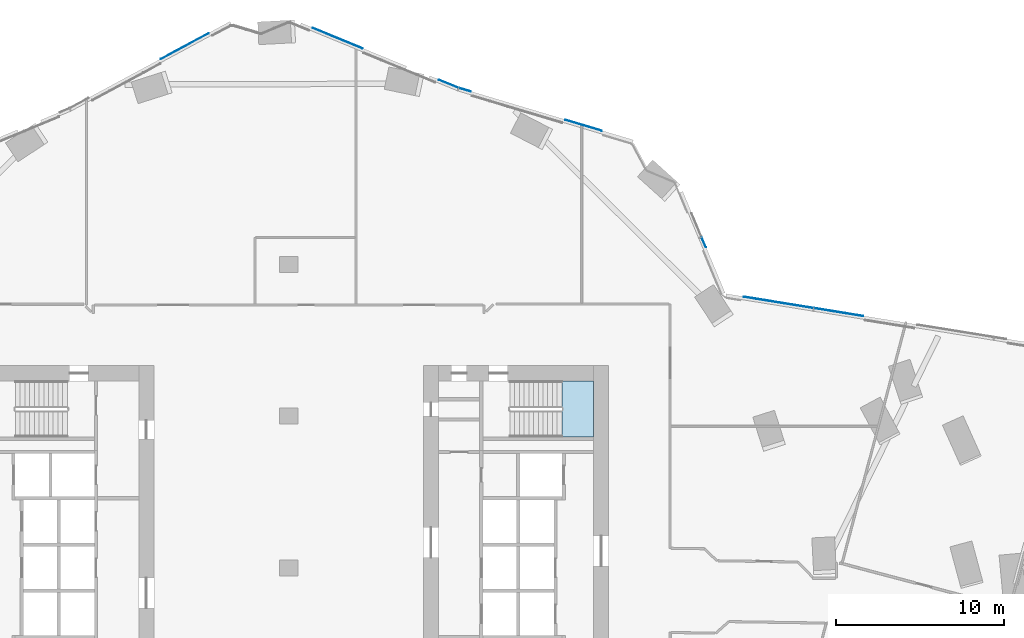
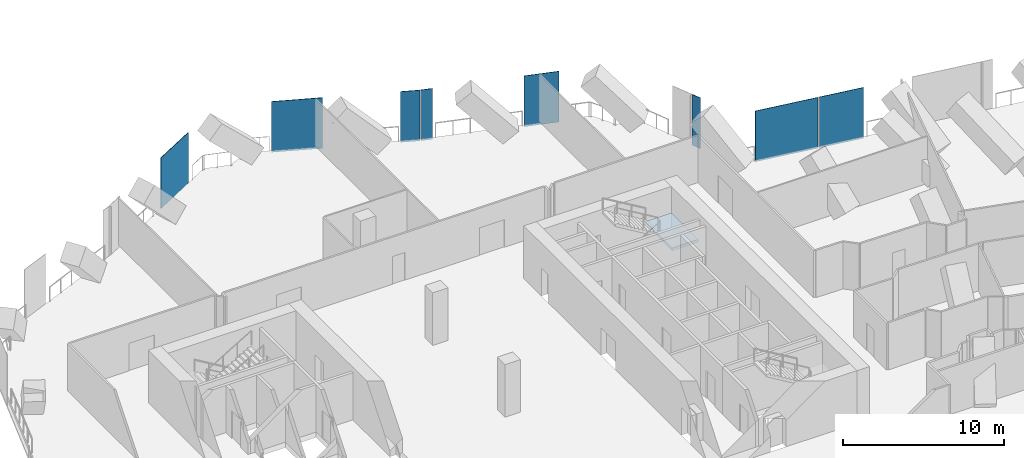
# One storey, part 25 of 37: 8 plates, 1 slab, 6 elements without a shape of their own.
"""IFC4 building model written with IfcOpenShell, lengths in metres."""

import ifcopenshell
import ifcopenshell.guid

model = None  # the IFC model being written
_history = None  # IfcOwnerHistory: only IFC2X3 demands one
_inside = {}  # id of a spatial element -> (the spatial element, [elements in it])
_under = {}  # id of a project, library or spatial element -> (it, [spatial elements below it])
_declared = {}  # id of a project -> (the project, [libraries it declares])
_typed = {}  # id of a type object -> (the type object, [elements of that type])
_made_of = {}  # id of a material, layer set ... -> (it, [elements and type objects made of it])


def new_model(schema):
    """Start an empty IFC model of exactly this schema.

    Asked for "IFC4X3", IfcOpenShell would pick the latest addendum, in which some entities
    have other attributes; the version numbers below select the first issue.
    IFC2X3 requires an IfcOwnerHistory on every rooted entity: one is made here for all.
    """
    global model, _history
    if schema == "IFC4X3":
        model = ifcopenshell.file(schema_version=(4, 3, 0, 0))
    else:
        model = ifcopenshell.file(schema=schema)
    _inside.clear()
    _under.clear()
    _declared.clear()
    _typed.clear()
    _made_of.clear()
    _history = None
    if model.schema == "IFC2X3":
        org = make("IfcOrganization", Name="unknown")
        user = make(
            "IfcPersonAndOrganization",
            ThePerson=make("IfcPerson", FamilyName="unknown"),
            TheOrganization=org,
        )
        app = make(
            "IfcApplication",
            ApplicationDeveloper=org,
            Version="unknown",
            ApplicationFullName="unknown",
            ApplicationIdentifier="unknown",
        )
        _history = make(
            "IfcOwnerHistory",
            OwningUser=user,
            OwningApplication=app,
            ChangeAction="ADDED",
            CreationDate=0,
        )
    return model


def make(cls, **values):
    """One entity of the class cls with the attributes given. An attribute that is None is left unset."""
    return model.create_entity(
        cls, **{name: value for name, value in values.items() if value is not None}
    )


def rooted(cls, **values):
    """An entity with a GlobalId (a new one), such as an element, a storey or a relation."""
    return make(cls, GlobalId=ifcopenshell.guid.new(), OwnerHistory=_history, **values)


def si_unit(unit_type, name, prefix=None):
    """IfcSIUnit, for example si_unit("LENGTHUNIT", "METRE", prefix="MILLI")."""
    return make("IfcSIUnit", UnitType=unit_type, Prefix=prefix, Name=name)


def assignment(units):
    """IfcUnitAssignment: the units of a project."""
    return None if units is None else make("IfcUnitAssignment", Units=units)


def point(xyz):
    """IfcCartesianPoint."""
    return None if xyz is None else make("IfcCartesianPoint", Coordinates=xyz)


def direction(xyz):
    """IfcDirection."""
    return None if xyz is None else make("IfcDirection", DirectionRatios=xyz)


def frame(location, z_axis=None, x_axis=None):
    """IfcAxis2Placement3D, a coordinate frame: its origin and axes. An axis left out is left unset."""
    return make(
        "IfcAxis2Placement3D",
        Location=point(location),
        Axis=direction(z_axis),
        RefDirection=direction(x_axis),
    )


def frame_2d(location, x_axis=None):
    """IfcAxis2Placement2D, a coordinate frame in the plane: its origin and x axis."""
    return make(
        "IfcAxis2Placement2D", Location=point(location), RefDirection=direction(x_axis)
    )


def origin():
    """The frame at (0, 0, 0) with its axes left unset."""
    return frame((0.0, 0.0, 0.0))


def origin_2d():
    """The frame at (0, 0) in the plane with its x axis left unset."""
    return frame_2d((0.0, 0.0))


def place(relative_to, where):
    """IfcLocalPlacement: puts the frame where relative to a parent placement (None: the world)."""
    return make(
        "IfcLocalPlacement", PlacementRelTo=relative_to, RelativePlacement=where
    )


def context(
    kind, dimensions, precision=None, world=None, true_north=None, identifier=None
):
    """IfcGeometricRepresentationContext, for example the 3D "Model" context."""
    return make(
        "IfcGeometricRepresentationContext",
        ContextIdentifier=identifier,
        ContextType=kind,
        CoordinateSpaceDimension=dimensions,
        Precision=precision,
        WorldCoordinateSystem=world,
        TrueNorth=true_north,
    )


def subcontext(parent, identifier, kind, view, scale=None):
    """IfcGeometricRepresentationSubContext, for example "Body" below "Model"."""
    return make(
        "IfcGeometricRepresentationSubContext",
        ContextIdentifier=identifier,
        ContextType=kind,
        ParentContext=parent,
        TargetScale=scale,
        TargetView=view,
    )


def project(units=None, contexts=None):
    """IfcProject with its units and contexts."""
    return rooted(
        "IfcProject",
        Name="project",
        RepresentationContexts=contexts,
        UnitsInContext=assignment(units),
    )


def spatial(cls, under=None, at=None, **own):
    """A site, building, storey or space (cls), placed at a placement, below another one or the project."""
    s = rooted(cls, ObjectPlacement=at, **own)
    if under is not None:
        _under.setdefault(under.id(), (under, []))[1].append(s)
    return s


def polyline(points):
    """IfcPolyline through the points."""
    return make("IfcPolyline", Points=[point(p) for p in points])


def profile(cls, at=None, kind="AREA", **sizes):
    """A parametric profile (cls). Its sizes go by their IFC names, for example OverallWidth=200.0."""
    return make(cls, ProfileType=kind, Position=at, **sizes)


def rectangle(**sizes):
    """IfcRectangleProfileDef."""
    return profile("IfcRectangleProfileDef", **sizes)


def outline(outer, holes=None, kind="AREA"):
    """IfcArbitraryClosedProfileDef: a profile drawn as a closed curve; with holes, ...WithVoids."""
    if holes is None:
        return make("IfcArbitraryClosedProfileDef", ProfileType=kind, OuterCurve=outer)
    return make(
        "IfcArbitraryProfileDefWithVoids",
        ProfileType=kind,
        OuterCurve=outer,
        InnerCurves=holes,
    )


def extrude(swept, where, along, depth):
    """IfcExtrudedAreaSolid: the profile swept, set in the frame where, extruded along a direction by depth."""
    return make(
        "IfcExtrudedAreaSolid",
        SweptArea=swept,
        Position=where,
        ExtrudedDirection=direction(along),
        Depth=depth,
    )


def shape(context_of_items, identifier, shape_type, items):
    """IfcShapeRepresentation: the items that make up one representation, for example the "Body"."""
    return make(
        "IfcShapeRepresentation",
        ContextOfItems=context_of_items,
        RepresentationIdentifier=identifier,
        RepresentationType=shape_type,
        Items=items,
    )


def material(Name=None, Category=None):
    """IfcMaterial."""
    return make("IfcMaterial", Name=Name, Category=Category)


def layer(
    of_material, thickness, ventilated=None, Name=None, Category=None, Priority=None
):
    """IfcMaterialLayer: one layer of a wall or slab, of a material (None: an air gap)."""
    return make(
        "IfcMaterialLayer",
        Material=of_material,
        LayerThickness=thickness,
        IsVentilated=ventilated,
        Name=Name,
        Category=Category,
        Priority=Priority,
    )


def layer_set(layers, Name=None):
    """IfcMaterialLayerSet."""
    return make("IfcMaterialLayerSet", MaterialLayers=layers, LayerSetName=Name)


def made_of(thing, what):
    """Note that an element or type object is made of a material, layer set ...; save() writes the relation."""
    if what is not None:
        _made_of.setdefault(what.id(), (what, []))[1].append(thing)
    return thing


def type_object(cls, material=None, **own):
    """A type object (cls), such as IfcWallType, which elements share."""
    return made_of(rooted(cls, **own), material)


def element(
    cls,
    number,
    at=None,
    inside=None,
    cuts=None,
    type_object=None,
    material=None,
    context=None,
    identifier="Body",
    shape_type=None,
    held_by="IfcProductDefinitionShape",
    body=None,
    shapes=None,
    **own,
):
    """One element of the class cls, such as IfcWall. Its Tag is "e" and its number.

    at: its placement. inside: the storey or other place that contains it. cuts: it is an
    opening in that element (IfcRelVoidsElement). A single representation is given by context,
    identifier, shape_type and body (its items); several are given by shapes. held_by: the class
    of the entity that holds the representations. save() writes the other relations.
    """
    e = rooted(cls, Tag="e%d" % number, ObjectPlacement=at, **own)
    if body is not None:
        shapes = [shape(context, identifier, shape_type, body)]
    if shapes is not None:
        e.Representation = make(held_by, Representations=shapes)
    if inside is not None:
        _inside.setdefault(inside.id(), (inside, []))[1].append(e)
    if cuts is not None:
        rooted(
            "IfcRelVoidsElement", RelatingBuildingElement=cuts, RelatedOpeningElement=e
        )
    if type_object is not None:
        _typed.setdefault(type_object.id(), (type_object, []))[1].append(e)
    return made_of(e, material)


def aggregate(whole, parts):
    """IfcRelAggregates: a whole, such as a stair, and the parts it consists of."""
    return rooted("IfcRelAggregates", RelatingObject=whole, RelatedObjects=parts)


def save(model, path):
    """Write the relations noted so far, then the file.

    IfcRelAggregates (storeys below a building ...), IfcRelContainedInSpatialStructure (elements
    in a storey), IfcRelDefinesByType, IfcRelAssociatesMaterial and IfcRelDeclares: one each for
    every whole, place, type object, material and project.
    """
    for whole, parts in _under.values():
        aggregate(whole, parts)
    for where, things in _inside.values():
        rooted(
            "IfcRelContainedInSpatialStructure",
            RelatedElements=things,
            RelatingStructure=where,
        )
    for kind, things in _typed.values():
        rooted("IfcRelDefinesByType", RelatedObjects=things, RelatingType=kind)
    for what, things in _made_of.values():
        rooted("IfcRelAssociatesMaterial", RelatedObjects=things, RelatingMaterial=what)
    for by, libraries in _declared.values():
        rooted("IfcRelDeclares", RelatingContext=by, RelatedDefinitions=libraries)
    model.write(path)


model = new_model("IFC4")

# Units and contexts
model_context = context("Model", 3, precision=1e-05, world=origin(), true_north=direction((0.0, 1.0)))
body_context = subcontext(model_context, "Body", "Model", "MODEL_VIEW")
ifc_project = project(units=[si_unit("LENGTHUNIT", "METRE"), si_unit("AREAUNIT", "SQUARE_METRE"), si_unit("VOLUMEUNIT", "CUBIC_METRE"), si_unit("PLANEANGLEUNIT", "RADIAN"), si_unit("MASSUNIT", "GRAM", prefix="KILO")], contexts=[model_context])

# Site, building, storey
site_placement = place(None, origin())
site = spatial("IfcSite", under=ifc_project, at=site_placement, CompositionType="ELEMENT")
building_placement = place(site_placement, origin())
building = spatial("IfcBuilding", under=site, at=building_placement, Name="Orlundy Tower", CompositionType="ELEMENT")
storey_placement = place(building_placement, frame((0.0, 0.0, 119.699951171875)))
storey = spatial("IfcBuildingStorey", under=building, at=storey_placement, Name="L30", CompositionType="ELEMENT", Elevation=119.699951171875)

# Curtain wall, plate
ifc_material_1 = material(Name="Aluminium bronze anodised", Category="aluminium")
curtain_wall_type = type_object("IfcCurtainWallType", Name="CW5 wall", PredefinedType="NOTDEFINED", material=ifc_material_1)
curtain_wall_1_placement = place(storey_placement, origin())
curtain_wall_1 = element("IfcCurtainWall", 1, at=curtain_wall_1_placement, inside=storey, type_object=curtain_wall_type, Name="CW5 run 07", PredefinedType="NOTDEFINED")
ifc_material_2 = material(Name="Tinted glass", Category="glass")
ifc_layer_1 = layer(ifc_material_2, 0.031982421875)
ifc_layer_set_1 = layer_set([ifc_layer_1], Name="CW5 glass panel 32")
plate_type_1 = type_object("IfcPlateType", Name="CW5 glass panel 32", PredefinedType="CURTAIN_PANEL", material=ifc_layer_set_1)
plate_1_placement = place(storey_placement, frame((-6.17333984375, 30.963623046875, -0.259765625), z_axis=(0.0, 0.0, 1.0), x_axis=(0.880180383731, 0.474639328432, 0.0)))
plate_1 = element("IfcPlate", 2, at=plate_1_placement, type_object=plate_type_1, Name="CW5 panel", PredefinedType="CURTAIN_PANEL", context=body_context, shape_type="SweptSolid", body=[
    extrude(rectangle(XDim=3.235595703125, YDim=0.031982421875, at=origin_2d()), origin(), (0.0, 0.0, 1.0), 3.860107421875),
])
aggregate(curtain_wall_1, [plate_1])

curtain_wall_2_placement = place(storey_placement, origin())
curtain_wall_2 = element("IfcCurtainWall", 3, at=curtain_wall_2_placement, inside=storey, type_object=curtain_wall_type, Name="CW5 run 010", PredefinedType="NOTDEFINED")
plate_2_placement = place(storey_placement, frame((2.904052734375, 31.439208984375, -0.259765625), z_axis=(0.0, 0.0, 1.0), x_axis=(0.924995729859, -0.379977498994, 0.0)))
plate_2 = element("IfcPlate", 4, at=plate_2_placement, type_object=plate_type_1, Name="CW5 panel", PredefinedType="CURTAIN_PANEL", context=body_context, shape_type="SweptSolid", body=[
    extrude(rectangle(XDim=3.20361328125, YDim=0.031982421875, at=origin_2d()), origin(), (0.0, 0.0, 1.0), 3.860107421875),
])

# Curtain wall, plates
curtain_wall_3_placement = place(storey_placement, origin())
curtain_wall_3 = element("IfcCurtainWall", 5, at=curtain_wall_3_placement, inside=storey, type_object=curtain_wall_type, Name="CW5 run 011", PredefinedType="NOTDEFINED")
plate_3_placement = place(storey_placement, frame((10.46630859375, 28.374755859375, -0.259765625), z_axis=(0.0, 0.0, 1.0), x_axis=(0.957977105398, -0.286844671439, 0.0)))
plate_3 = element("IfcPlate", 6, at=plate_3_placement, type_object=plate_type_1, Name="CW5 panel", PredefinedType="CURTAIN_PANEL", context=body_context, shape_type="SweptSolid", body=[
    extrude(rectangle(XDim=0.73681640625, YDim=0.031982421875, at=origin_2d()), origin(), (0.0, 0.0, 1.0), 3.860107421875),
])
plate_4_placement = place(storey_placement, frame((17.505615234375, 26.26708984375, -0.259765625), z_axis=(0.0, 0.0, 1.0), x_axis=(0.957977105398, -0.286844671439, 0.0)))
plate_4 = element("IfcPlate", 7, at=plate_4_placement, type_object=plate_type_1, Name="CW5 panel", PredefinedType="CURTAIN_PANEL", context=body_context, shape_type="SweptSolid", body=[
    extrude(rectangle(XDim=2.248291015625, YDim=0.031982421875, at=origin_2d()), origin(), (0.0, 0.0, 1.0), 3.860107421875),
])
aggregate(curtain_wall_3, [plate_3, plate_4])

curtain_wall_4_placement = place(storey_placement, origin())
curtain_wall_4 = element("IfcCurtainWall", 8, at=curtain_wall_4_placement, inside=storey, type_object=curtain_wall_type, Name="CW5 run 015", PredefinedType="NOTDEFINED")
plate_5_placement = place(storey_placement, frame((29.0771484375, 15.752685546875, -0.259765625), z_axis=(0.0, 0.0, 1.0), x_axis=(0.987229331591, -0.159305514177, 0.0)))
plate_5 = element("IfcPlate", 9, at=plate_5_placement, type_object=plate_type_1, Name="CW5 panel", PredefinedType="CURTAIN_PANEL", context=body_context, shape_type="SweptSolid", body=[
    extrude(rectangle(XDim=4.190185546875, YDim=0.031982421875, at=origin_2d()), origin(), (0.0, 0.0, 1.0), 3.860107421875),
])
plate_6_placement = place(storey_placement, frame((32.65771484375, 15.175048828125, -0.259765625), z_axis=(0.0, 0.0, 1.0), x_axis=(0.987229331591, -0.159305514177, 0.0)))
plate_6 = element("IfcPlate", 10, at=plate_6_placement, type_object=plate_type_1, Name="CW5 panel", PredefinedType="CURTAIN_PANEL", context=body_context, shape_type="SweptSolid", body=[
    extrude(rectangle(XDim=2.963623046875, YDim=0.031982421875, at=origin_2d()), origin(), (0.0, 0.0, 1.0), 3.860107421875),
])
aggregate(curtain_wall_4, [plate_5, plate_6])

# Plate
ifc_material_3 = material(Name="Tinted glass", Category="glass")
ifc_layer_2 = layer(ifc_material_3, 0.031982421875)
ifc_layer_set_2 = layer_set([ifc_layer_2], Name="CW5 vent panel 32")
plate_type_2 = type_object("IfcPlateType", Name="CW5 vent panel 32", PredefinedType="CURTAIN_PANEL", material=ifc_layer_set_2)
plate_7_placement = place(storey_placement, frame((9.492431640625, 28.73291015625, -0.259765625), z_axis=(0.0, 0.0, 1.0), x_axis=(0.924995729859, -0.379977498994, 0.0)))
plate_7 = element("IfcPlate", 11, at=plate_7_placement, type_object=plate_type_2, Name="CW5 panel", PredefinedType="CURTAIN_PANEL", context=body_context, shape_type="SweptSolid", body=[
    extrude(rectangle(XDim=1.24072265625, YDim=0.031982421875, at=origin_2d()), origin(), (0.0, 0.0, 1.0), 3.860107421875),
])

aggregate(curtain_wall_2, [plate_2, plate_7])

# Curtain wall, plate
curtain_wall_5_placement = place(storey_placement, origin())
curtain_wall_5 = element("IfcCurtainWall", 12, at=curtain_wall_5_placement, inside=storey, type_object=curtain_wall_type, Name="CW5 run 014", PredefinedType="NOTDEFINED")
plate_8_placement = place(storey_placement, frame((24.642578125, 19.319091796875, -0.259765625), z_axis=(0.0, 0.0, 1.0), x_axis=(0.385418760854, -0.922741772535, 0.0)))
plate_8 = element("IfcPlate", 13, at=plate_8_placement, type_object=plate_type_2, Name="CW5 panel", PredefinedType="CURTAIN_PANEL", context=body_context, shape_type="SweptSolid", body=[
    extrude(rectangle(XDim=0.631591796875, YDim=0.031982421875, at=origin_2d()), origin(), (0.0, 0.0, 1.0), 3.860107421875),
])
aggregate(curtain_wall_5, [plate_8])

# Stair, slab
ifc_material_4 = material(Name="Concrete C50/60", Category="concrete")
stair_type = type_object("IfcStairType", Name="Exit Stair 24 risers", PredefinedType="HALF_TURN_STAIR", material=ifc_material_4)
stair_placement = place(storey_placement, origin())
stair = element("IfcStair", 14, at=stair_placement, inside=storey, type_object=stair_type, Name="L30 Exit Stair ST-E2", PredefinedType="HALF_TURN_STAIR")
ifc_material_5 = material(Name="Concrete C50/60", Category="concrete")
ifc_layer_3 = layer(ifc_material_5, 0.199951171875)
ifc_layer_set_3 = layer_set([ifc_layer_3], Name="Exit Stair Landing")
slab_type = type_object("IfcSlabType", Name="Exit Stair Landing", PredefinedType="LANDING", material=ifc_layer_set_3)
slab_placement = place(storey_placement, frame((0.0, 0.0, 1.800048828125)))
slab = element("IfcSlab", 15, at=slab_placement, type_object=slab_type, Name="ST-E2 landing 1", PredefinedType="LANDING", context=body_context, shape_type="SweptSolid", body=[
    extrude(outline(polyline([(16.219970703125, 7.75), (18.10009765625, 7.75), (18.10009765625, 11.10009765625), (16.219970703125, 11.10009765625), (16.219970703125, 7.75)])), origin(), (0.0, 0.0, 1.0), 0.199951171875),
])
aggregate(stair, [slab])

save(model, "model.ifc")
